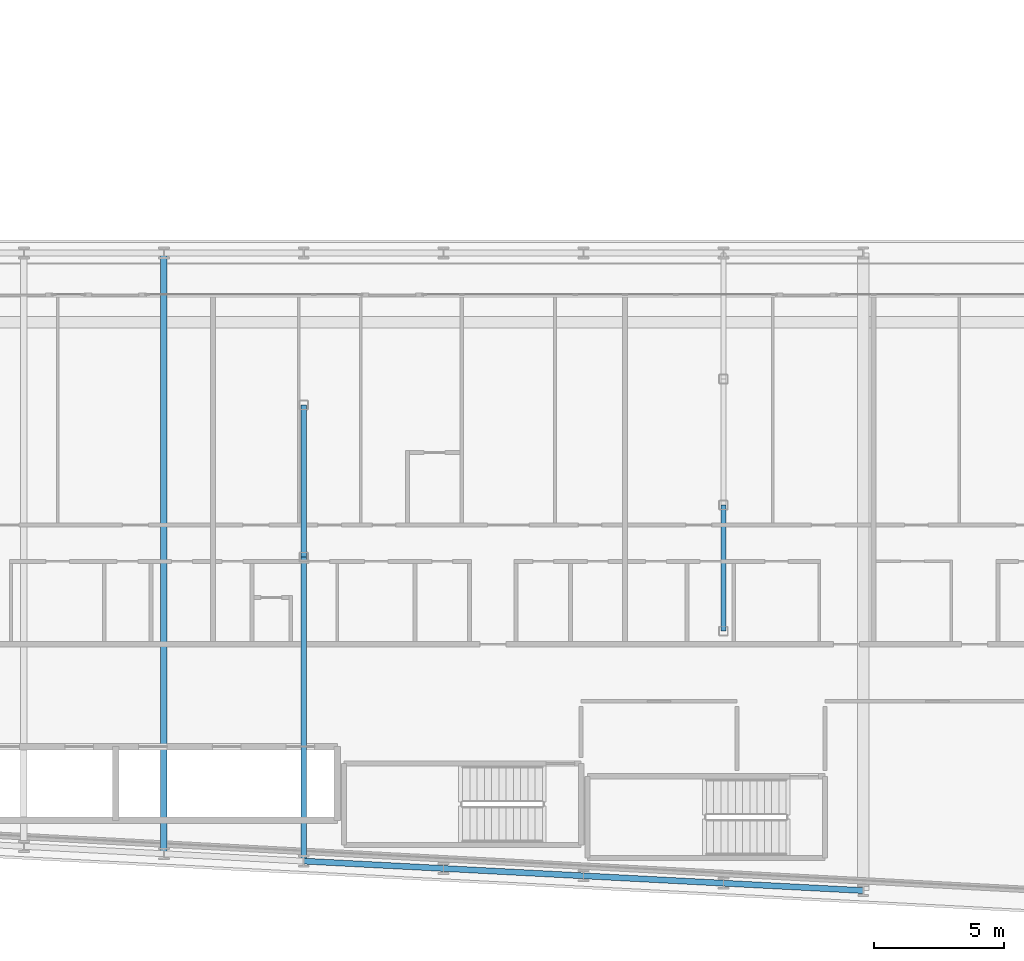
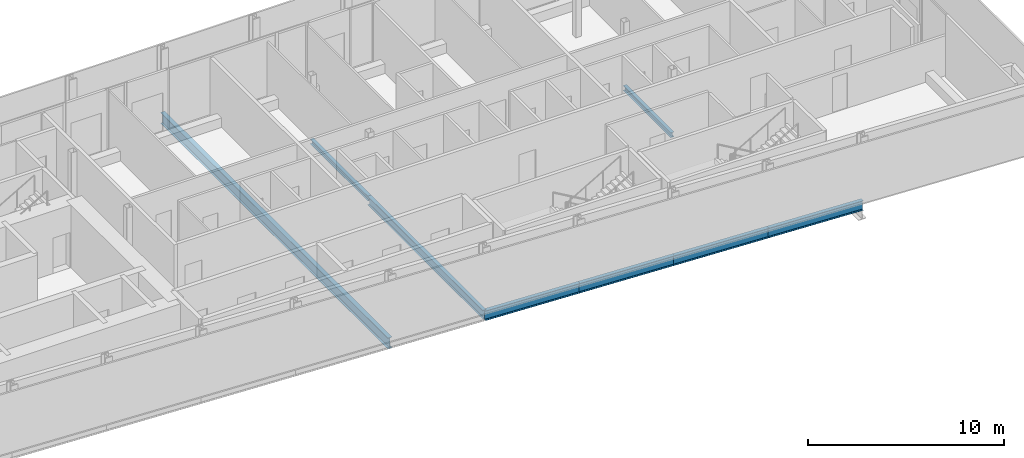
# One storey, part 5 of 28: 8 beams.
"""IFC4 building model written with IfcOpenShell, lengths in metres."""

from ifc_helpers import new_model, si_unit, direction, frame, origin, origin_2d, place, context, subcontext, project, spatial, i_section, extrude, material, material_profile, profile_set, type_object, element, save


model = new_model("IFC4")

# Units and contexts
model_context = context("Model", 3, precision=1e-05, world=origin(), true_north=direction((0.0, 1.0)))
body_context = subcontext(model_context, "Body", "Model", "MODEL_VIEW")
ifc_project = project(units=[si_unit("LENGTHUNIT", "METRE"), si_unit("AREAUNIT", "SQUARE_METRE"), si_unit("VOLUMEUNIT", "CUBIC_METRE"), si_unit("PLANEANGLEUNIT", "RADIAN"), si_unit("MASSUNIT", "GRAM", prefix="KILO")], contexts=[model_context])

# Site, building, storey
site_placement = place(None, origin())
site = spatial("IfcSite", under=ifc_project, at=site_placement, CompositionType="ELEMENT")
building_placement = place(site_placement, origin())
building = spatial("IfcBuilding", under=site, at=building_placement, Name="Kheshtan School and Residences Tower", CompositionType="ELEMENT")
storey_placement = place(building_placement, frame((0.0, 0.0, 125.300048828125)))
storey = spatial("IfcBuildingStorey", under=building, at=storey_placement, Name="L29", CompositionType="ELEMENT", Elevation=125.300048828125)

# Beams
ifc_material = material(Name="Steel ASTM A992 Grade 50", Category="steel")
ifc_material_profile_1 = material_profile(ifc_material, i_section(OverallWidth=0.202880859375, OverallDepth=0.302978515625, WebThickness=0.007568359375, FlangeThickness=0.01318359375, FilletRadius=0.009033203125, at=origin_2d()), Name="W310x60")
ifc_profile_set_1 = profile_set([ifc_material_profile_1], Name="Steel ASTM A992 Grade 50")
beam_type_1 = type_object("IfcBeamType", Name="Beam FB1 W310x60 ASTM A992 Grade 50", PredefinedType="BEAM", material=ifc_profile_set_1)
beam_1_placement = place(storey_placement, frame((85.39990234375, 31.0048828125, -0.301513671875), z_axis=(0.0, 1.0, 0.0), x_axis=(-1.0, 0.0, 0.0)))
element("IfcBeam", 1, at=beam_1_placement, inside=storey, type_object=beam_type_1, Name="Floor beam IC", PredefinedType="BEAM", context=body_context, shape_type="SweptSolid", body=[
    extrude(i_section(OverallWidth=0.202880859375, OverallDepth=0.302978515625, WebThickness=0.007568359375, FlangeThickness=0.01318359375, FilletRadius=0.009033203125, at=origin_2d()), origin(), (0.0, 0.0, 1.0), 4.865234375),
])
beam_2_placement = place(storey_placement, frame((69.199951171875, 33.863037109375, -0.301513671875), z_axis=(0.0, 1.0, 0.0), x_axis=(-1.0, 0.0, 0.0)))
element("IfcBeam", 2, at=beam_2_placement, inside=storey, type_object=beam_type_1, Name="Floor beam IC", PredefinedType="BEAM", context=body_context, shape_type="SweptSolid", body=[
    extrude(i_section(OverallWidth=0.202880859375, OverallDepth=0.302978515625, WebThickness=0.007568359375, FlangeThickness=0.01318359375, FilletRadius=0.009033203125, at=origin_2d()), origin(), (0.0, 0.0, 1.0), 5.868896484375),
])
ifc_material_profile_2 = material_profile(ifc_material, i_section(OverallWidth=0.208984375, OverallDepth=0.532958984375, WebThickness=0.01025390625, FlangeThickness=0.015625, FilletRadius=0.013916015625, at=origin_2d()), Name="W530x92")
ifc_profile_set_2 = profile_set([ifc_material_profile_2], Name="Steel ASTM A992 Grade 50")
beam_type_2 = type_object("IfcBeamType", Name="Beam FB4 W530x92 ASTM A992 Grade 50", PredefinedType="BEAM", material=ifc_profile_set_2)
beam_3_placement = place(storey_placement, frame((69.199951171875, 22.126953125, -0.41650390625), z_axis=(0.0, 1.0, 0.0), x_axis=(-1.0, 0.0, 0.0)))
element("IfcBeam", 3, at=beam_3_placement, inside=storey, type_object=beam_type_2, Name="Floor beam C014", PredefinedType="BEAM", context=body_context, shape_type="SweptSolid", body=[
    extrude(i_section(OverallWidth=0.208984375, OverallDepth=0.532958984375, WebThickness=0.01025390625, FlangeThickness=0.015625, FilletRadius=0.013916015625, at=origin_2d()), origin(), (0.0, 0.0, 1.0), 11.736083984375),
])
ifc_material_profile_3 = material_profile(ifc_material, i_section(OverallWidth=0.2529296875, OverallDepth=0.677978515625, WebThickness=0.01171875, FlangeThickness=0.016357421875, FilletRadius=0.0146484375, at=origin_2d()), Name="W690x125")
ifc_profile_set_3 = profile_set([ifc_material_profile_3], Name="Steel ASTM A992 Grade 50")
beam_type_3 = type_object("IfcBeamType", Name="Beam FB6 W690x125 ASTM A992 Grade 50", PredefinedType="BEAM", material=ifc_profile_set_3)
beam_4_placement = place(storey_placement, frame((63.800048828125, 45.60009765625, -0.489013671875), z_axis=(0.0, -1.0, 0.0), x_axis=(1.0, 0.0, 0.0)))
element("IfcBeam", 4, at=beam_4_placement, inside=storey, type_object=beam_type_3, Name="Floor beam C063", PredefinedType="BEAM", context=body_context, shape_type="SweptSolid", body=[
    extrude(i_section(OverallWidth=0.2529296875, OverallDepth=0.677978515625, WebThickness=0.01171875, FlangeThickness=0.016357421875, FilletRadius=0.0146484375, at=origin_2d()), origin(), (0.0, 0.0, 1.0), 23.189208984375),
])
ifc_material_profile_4 = material_profile(ifc_material, i_section(OverallWidth=0.22802734375, OverallDepth=0.60302734375, WebThickness=0.010498046875, FlangeThickness=0.014892578125, FilletRadius=0.013427734375, at=origin_2d()), Name="W610x101")
ifc_profile_set_4 = profile_set([ifc_material_profile_4], Name="Steel ASTM A992 Grade 50")
beam_type_4 = type_object("IfcBeamType", Name="Beam SP2 W610x101 ASTM A992 Grade 50", PredefinedType="BEAM", material=ifc_profile_set_4)
beam_5_placement = place(storey_placement, frame((90.800048828125, 20.989990234375, -0.45166015625), z_axis=(-0.998620571751, 0.05250670125, 0.0), x_axis=(-0.05250670125, -0.998620571751, 0.0)))
element("IfcBeam", 5, at=beam_5_placement, inside=storey, type_object=beam_type_4, Name="Spandrel beam C006-C008", PredefinedType="BEAM", context=body_context, shape_type="SweptSolid", body=[
    extrude(i_section(OverallWidth=0.22802734375, OverallDepth=0.60302734375, WebThickness=0.010498046875, FlangeThickness=0.014892578125, FilletRadius=0.013427734375, at=origin_2d()), origin(), (0.0, 0.0, 1.0), 5.40771484375),
])
for number, where, z_axis, x_axis, name in (
    (6, (85.39990234375, 21.27392578125, -0.45166015625), (-0.998618078766, 0.052554093665, 0.0), (-0.052554093665, -0.998618078766, 0.0), "Spandrel beam C008-C012"),
    (7, (80.0, 21.55810546875, -0.45166015625), (-0.998610961136, 0.052689166816, 0.0), (-0.052689166816, -0.998610961136, 0.0), "Spandrel beam C012-C013"),
):
    element("IfcBeam", number, at=place(storey_placement, frame(where, z_axis=z_axis, x_axis=x_axis)), inside=storey, type_object=beam_type_4, Name=name, PredefinedType="BEAM", context=body_context, shape_type="SweptSolid", body=[
        extrude(i_section(OverallWidth=0.22802734375, OverallDepth=0.60302734375, WebThickness=0.010498046875, FlangeThickness=0.014892578125, FilletRadius=0.013427734375, at=origin_2d()), origin(), (0.0, 0.0, 1.0), 5.407470703125),
    ])
beam_6_placement = place(storey_placement, frame((74.60009765625, 21.843017578125, -0.45166015625), z_axis=(-0.998620571751, 0.05250670125, 0.0), x_axis=(-0.05250670125, -0.998620571751, 0.0)))
element("IfcBeam", 8, at=beam_6_placement, inside=storey, type_object=beam_type_4, Name="Spandrel beam C013-C014", PredefinedType="BEAM", context=body_context, shape_type="SweptSolid", body=[
    extrude(i_section(OverallWidth=0.22802734375, OverallDepth=0.60302734375, WebThickness=0.010498046875, FlangeThickness=0.014892578125, FilletRadius=0.013427734375, at=origin_2d()), origin(), (0.0, 0.0, 1.0), 5.40771484375),
])

save(model, "model.ifc")
